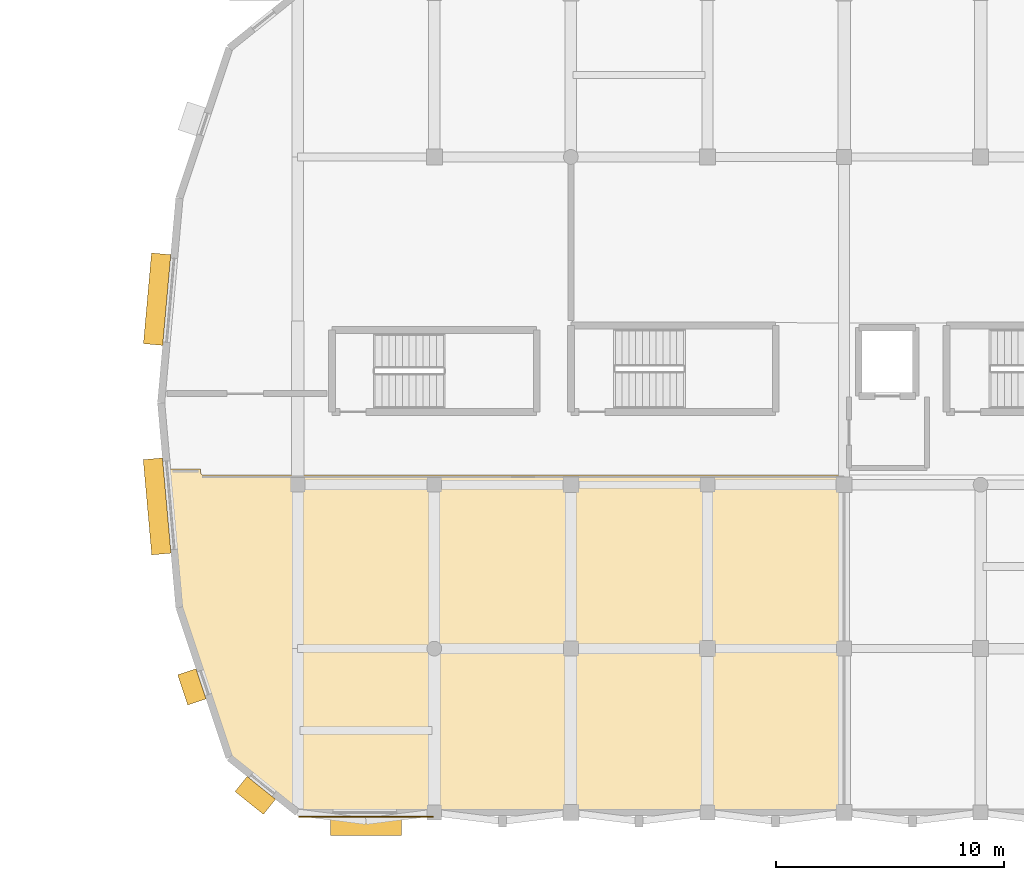
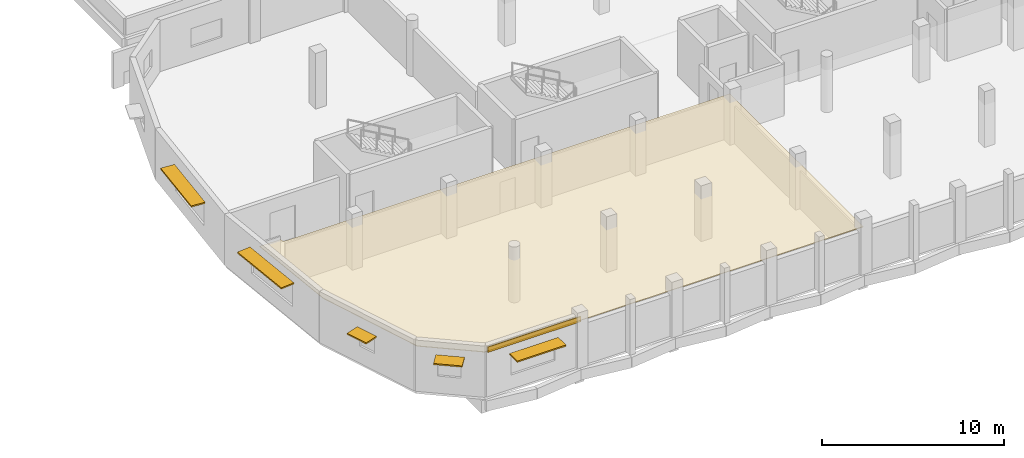
# One storey, part 232 of 239: 5 shading devices, 2 coverings.
"""IFC4 building model written with IfcOpenShell, lengths in metres."""

from ifc_helpers import new_model, si_unit, direction, frame, origin, origin_2d, place, context, subcontext, project, spatial, polyline, rectangle, outline, extrude, material, layer, layer_set, type_object, element, save


model = new_model("IFC4")

# Units and contexts
model_context = context("Model", 3, precision=1e-05, world=origin(), true_north=direction((0.0, 1.0)))
body_context = subcontext(model_context, "Body", "Model", "MODEL_VIEW")
ifc_project = project(units=[si_unit("LENGTHUNIT", "METRE"), si_unit("AREAUNIT", "SQUARE_METRE"), si_unit("VOLUMEUNIT", "CUBIC_METRE"), si_unit("PLANEANGLEUNIT", "RADIAN"), si_unit("MASSUNIT", "GRAM", prefix="KILO")], contexts=[model_context])

# Site, building, storey
site_placement = place(None, origin())
site = spatial("IfcSite", under=ifc_project, at=site_placement, CompositionType="ELEMENT")
building_placement = place(site_placement, origin())
building = spatial("IfcBuilding", under=site, at=building_placement, Name="Dunvalen Ferry Terminal", CompositionType="ELEMENT")
storey_placement = place(building_placement, frame((0.0, 0.0, 9.840087890625)))
storey = spatial("IfcBuildingStorey", under=building, at=storey_placement, Name="L02", CompositionType="ELEMENT", Elevation=9.840087890625)

# Covering
ifc_material_1 = material(Name="Anodised marine aluminium fascia cladding", Category="aluminium")
ifc_layer_1 = layer(ifc_material_1, 0.050048828125, Name="Anodised marine aluminium fascia cladding")
ifc_layer_set_1 = layer_set([ifc_layer_1], Name="Anodised marine aluminium fascia cladding")
covering_type_1 = type_object("IfcCoveringType", Name="ENV-COV-CLD01", PredefinedType="CLADDING", material=ifc_layer_set_1)
covering_1_placement = place(storey_placement, frame((15.0, -0.18408203125, 3.009765625), z_axis=(0.0, 0.0, 1.0), x_axis=(1.0, 0.0, 0.0)))
element("IfcCovering", 1, at=covering_1_placement, inside=storey, type_object=covering_type_1, Name="L02 Streamline Speed-Line Fascia Band 015", PredefinedType="CLADDING", context=body_context, shape_type="SweptSolid", body=[
    extrude(rectangle(XDim=5.89990234375, YDim=0.050048828125, at=origin_2d()), origin(), (0.0, 0.0, 1.0), 0.360107421875),
])

# Shading devices
ifc_material_2 = material(Name="Anodised marine aluminium EN AW-6063 T6", Category="aluminium")
ifc_layer_2 = layer(ifc_material_2, 0.090087890625, Name="Anodised marine aluminium EN AW-6063 T6")
ifc_layer_set_2 = layer_set([ifc_layer_2], Name="Anodised marine aluminium EN AW-6063 T6")
shading_device_type = type_object("IfcShadingDeviceType", Name="ENV-SHD-AWN01", PredefinedType="AWNING", material=ifc_layer_set_2)
shading_device_1_placement = place(storey_placement, frame((15.0, -0.5810546875, 2.3349609375), z_axis=(0.0, 0.0, 1.0), x_axis=(1.0, 0.0, 0.0)))
element("IfcShadingDevice", 2, at=shading_device_1_placement, inside=storey, type_object=shading_device_type, Name="L02 Streamline Brise-Soleil Eyebrow 023", PredefinedType="AWNING", context=body_context, shape_type="SweptSolid", body=[
    extrude(rectangle(XDim=3.10009765625, YDim=0.85009765625, at=origin_2d()), origin(), (0.0, 0.0, 1.0), 0.090087890625),
])
shading_device_2_placement = place(storey_placement, frame((5.8232421875, 22.5517578125, 2.53466796875), z_axis=(0.0, 0.0, 1.0), x_axis=(-0.088957034029, -0.996035464277, 0.0)))
element("IfcShadingDevice", 3, at=shading_device_2_placement, inside=storey, type_object=shading_device_type, Name="L02 Streamline Brise-Soleil Eyebrow 031", PredefinedType="AWNING", context=body_context, shape_type="SweptSolid", body=[
    extrude(rectangle(XDim=4.0, YDim=0.85009765625, at=origin_2d()), origin(), (0.0, 0.0, 1.0), 0.090087890625),
])
shading_device_3_placement = place(storey_placement, frame((5.8232421875, 13.4482421875, 2.53466796875), z_axis=(0.0, 0.0, 1.0), x_axis=(0.088957034029, -0.996035464277, 0.0)))
element("IfcShadingDevice", 4, at=shading_device_3_placement, inside=storey, type_object=shading_device_type, Name="L02 Streamline Brise-Soleil Eyebrow 032", PredefinedType="AWNING", context=body_context, shape_type="SweptSolid", body=[
    extrude(rectangle(XDim=4.199951171875, YDim=0.85009765625, at=origin_2d()), origin(), (0.0, 0.0, 1.0), 0.090087890625),
])
shading_device_4_placement = place(storey_placement, frame((7.3505859375, 5.52197265625, 2.28466796875), z_axis=(0.0, 0.0, 1.0), x_axis=(0.316232085723, -0.948681858138, 0.0)))
element("IfcShadingDevice", 5, at=shading_device_4_placement, inside=storey, type_object=shading_device_type, Name="L02 Streamline Brise-Soleil Eyebrow 033", PredefinedType="AWNING", context=body_context, shape_type="SweptSolid", body=[
    extrude(rectangle(XDim=1.39990234375, YDim=0.85009765625, at=origin_2d()), origin(), (0.0, 0.0, 1.0), 0.090087890625),
])
shading_device_5_placement = place(storey_placement, frame((10.135986328125, 0.7529296875, 2.48486328125), z_axis=(0.0, 0.0, 1.0), x_axis=(0.779409252356, -0.626515137361, 0.0)))
element("IfcShadingDevice", 6, at=shading_device_5_placement, inside=storey, type_object=shading_device_type, Name="L02 Streamline Brise-Soleil Eyebrow 034", PredefinedType="AWNING", context=body_context, shape_type="SweptSolid", body=[
    extrude(rectangle(XDim=1.60009765625, YDim=0.85009765625, at=origin_2d()), origin(), (0.0, 0.0, 1.0), 0.090087890625),
])

# Covering
ifc_material_3 = material(Name="Perforated marine aluminium acoustic baffle ceiling", Category="aluminium")
ifc_layer_3 = layer(ifc_material_3, 0.0400390625, Name="Perforated marine aluminium acoustic baffle ceiling")
ifc_layer_set_3 = layer_set([ifc_layer_3], Name="Perforated marine aluminium acoustic baffle ceiling")
covering_type_2 = type_object("IfcCoveringType", Name="INT-COV-CLG01", PredefinedType="CEILING", material=ifc_layer_set_3)
covering_2_placement = place(storey_placement, frame((0.0, 0.0, 2.809814453125)))
element("IfcCovering", 7, at=covering_2_placement, inside=storey, type_object=covering_type_2, Name="L02 Maritime Operations and Berth Dispatch Control Acoustic Suspended Ceiling", PredefinedType="CEILING", context=body_context, shape_type="SweptSolid", body=[
    extrude(outline(polyline([(7.822509765625, 14.830078125), (7.74951171875, 14.868896484375), (7.718017578125, 15.090087890625), (6.390380859375, 15.090087890625), (6.931884765625, 9.026611328125), (9.111328125, 2.48876953125), (12.0458984375, 0.1298828125), (36.090087890625, 0.1298828125), (36.090087890625, 14.830078125), (7.822509765625, 14.830078125)])), origin(), (0.0, 0.0, 1.0), 0.0400390625),
])

save(model, "model.ifc")
